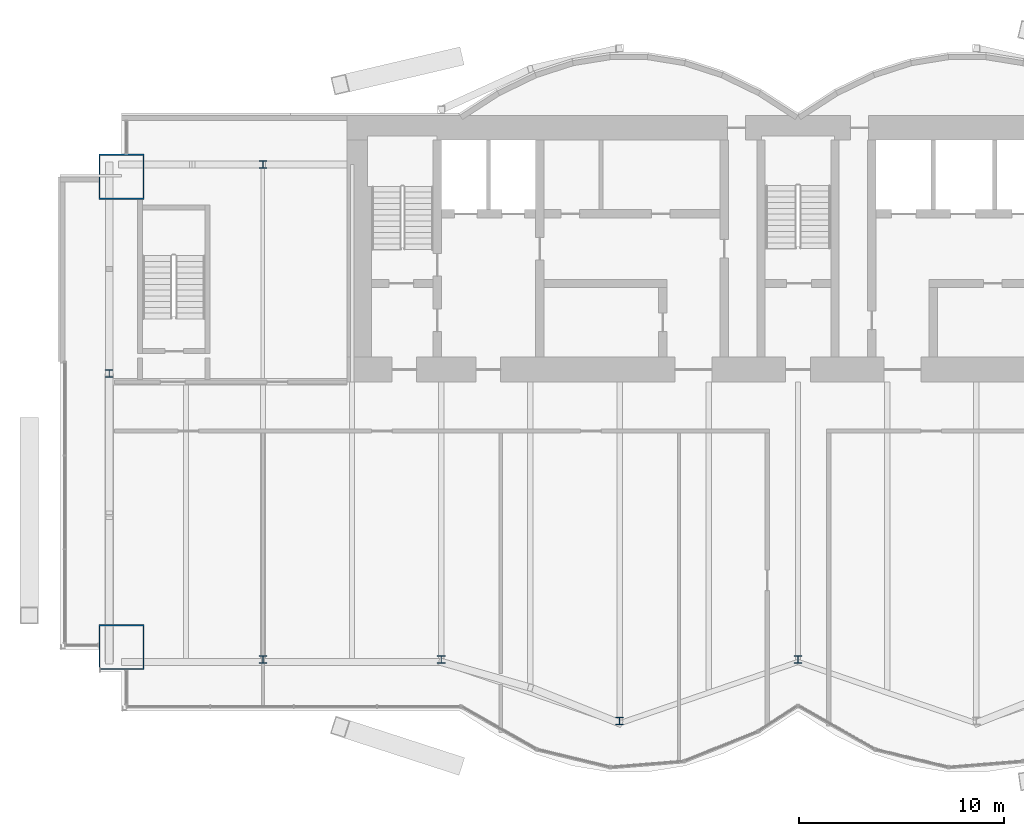
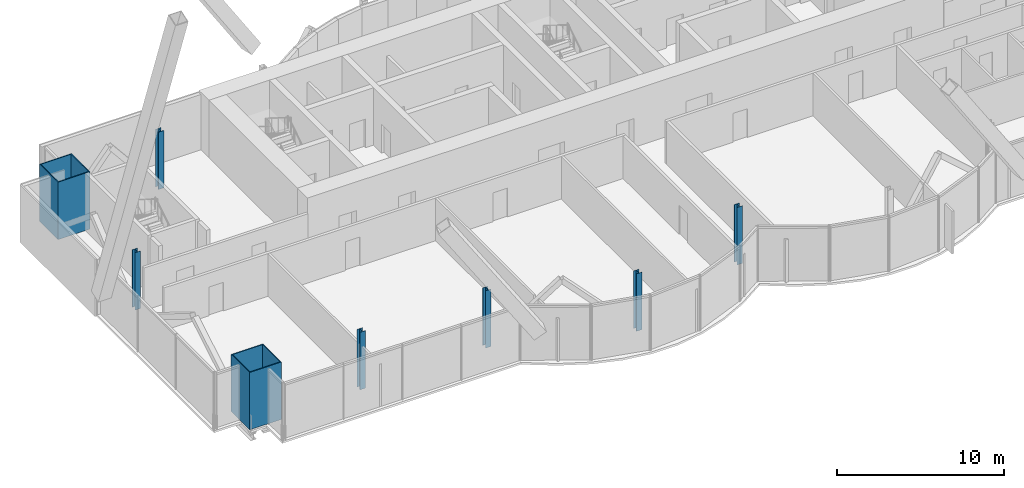
# One storey, part 1 of 23: 8 columns.
"""IFC4 building model written with IfcOpenShell, lengths in metres."""

from ifc_helpers import new_model, si_unit, direction, frame, origin, origin_2d, place, context, subcontext, project, spatial, hollow_rectangle, i_section, extrude, material, material_profile, profile_set, type_object, element, save


model = new_model("IFC4")

# Units and contexts
model_context = context("Model", 3, precision=1e-05, world=origin(), true_north=direction((0.0, 1.0)))
body_context = subcontext(model_context, "Body", "Model", "MODEL_VIEW")
ifc_project = project(units=[si_unit("LENGTHUNIT", "METRE"), si_unit("AREAUNIT", "SQUARE_METRE"), si_unit("VOLUMEUNIT", "CUBIC_METRE"), si_unit("PLANEANGLEUNIT", "RADIAN"), si_unit("MASSUNIT", "GRAM", prefix="KILO")], contexts=[model_context])

# Site, building, storey
site_placement = place(None, origin())
site = spatial("IfcSite", under=ifc_project, at=site_placement, CompositionType="ELEMENT")
building_placement = place(site_placement, origin())
building = spatial("IfcBuilding", under=site, at=building_placement, Name="Bicima Exchange Tower", CompositionType="ELEMENT")
storey_placement = place(building_placement, frame((0.0, 0.0, 262.39990234375)))
storey = spatial("IfcBuildingStorey", under=building, at=storey_placement, Name="L59", CompositionType="ELEMENT", Elevation=262.39990234375)

# Columns
ifc_material_1 = material(Name="Steel ASTM A572 Gr 50", Category="steel")
ifc_material_profile_1 = material_profile(ifc_material_1, hollow_rectangle(XDim=2.199951171875, YDim=2.199951171875, WallThickness=0.06005859375, at=origin_2d()))
ifc_profile_set_1 = profile_set([ifc_material_profile_1], Name="Steel ASTM A572 Gr 50")
column_type_1 = type_object("IfcColumnType", Name="Mega column BOX 2200x2200x60", PredefinedType="COLUMN", material=ifc_profile_set_1)
for number, where, z_axis, x_axis, name in (
    (1, (-33.0, -25.946044921875, 0.0), (0.0, 0.0, 1.0), (1.0, 0.0, 0.0), "Mega column mega-33.0f"),
    (2, (-33.0, -3.0, 0.0), (0.0, 0.0, 1.0), (1.0, 0.0, 0.0), "Mega column mega-33.0r"),
):
    element("IfcColumn", number, at=place(storey_placement, frame(where, z_axis=z_axis, x_axis=x_axis)), inside=storey, type_object=column_type_1, Name=name, PredefinedType="COLUMN", context=body_context, shape_type="SweptSolid", body=[
        extrude(hollow_rectangle(XDim=2.199951171875, YDim=2.199951171875, WallThickness=0.06005859375, at=origin_2d()), origin(), (0.0, 0.0, 1.0), 4.2001953125),
    ])
ifc_material_2 = material(Name="Steel ASTM A992 Gr 50", Category="steel")
ifc_material_profile_2 = material_profile(ifc_material_2, i_section(OverallWidth=0.370849609375, OverallDepth=0.36328125, WebThickness=0.013427734375, FlangeThickness=0.021728515625, at=origin_2d()))
ifc_profile_set_2 = profile_set([ifc_material_profile_2], Name="Steel ASTM A992 Gr 50")
column_type_2 = type_object("IfcColumnType", Name="Perimeter column W14x109", PredefinedType="COLUMN", material=ifc_profile_set_2)
for number, where, z_axis, x_axis, name in (
    (3, (-26.10009765625, -26.5458984375, 0.0), (0.0, 0.0, 1.0), (1.0, 0.0, 0.0), "Perimeter column grav-26.1f"),
    (4, (-26.10009765625, -2.39990234375, 0.0), (0.0, 0.0, 1.0), (1.0, 0.0, 0.0), "Perimeter column grav-26.1r"),
    (5, (-17.39990234375, -26.5458984375, 0.0), (0.0, 0.0, 1.0), (1.0, 0.0, 0.0), "Perimeter column grav-17.4f"),
    (6, (-8.699951171875, -29.537109375, 0.0), (0.0, 0.0, 1.0), (1.0, 0.0, 0.0), "Perimeter column grav-8.7f"),
    (7, (0.0, -26.5458984375, 0.0), (0.0, 0.0, 1.0), (1.0, 0.0, 0.0), "Perimeter column grav-0.0f"),
    (8, (-33.60009765625, -12.60009765625, 0.0), (0.0, 0.0, 1.0), (1.0, 0.0, 0.0), "End column end-33.6e"),
):
    element("IfcColumn", number, at=place(storey_placement, frame(where, z_axis=z_axis, x_axis=x_axis)), inside=storey, type_object=column_type_2, Name=name, PredefinedType="COLUMN", context=body_context, shape_type="SweptSolid", body=[
        extrude(i_section(OverallWidth=0.370849609375, OverallDepth=0.36328125, WebThickness=0.013427734375, FlangeThickness=0.021728515625, at=origin_2d()), origin(), (0.0, 0.0, 1.0), 4.2001953125),
    ])

save(model, "model.ifc")
